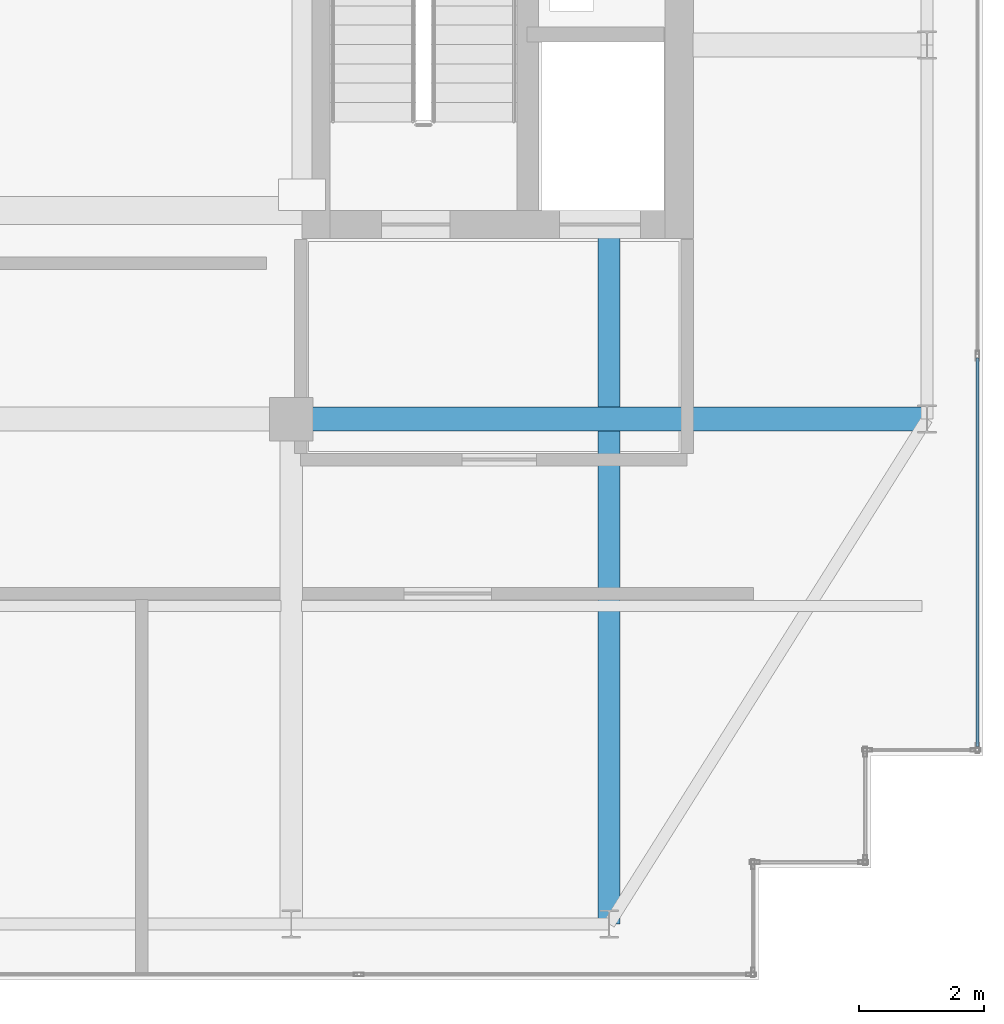
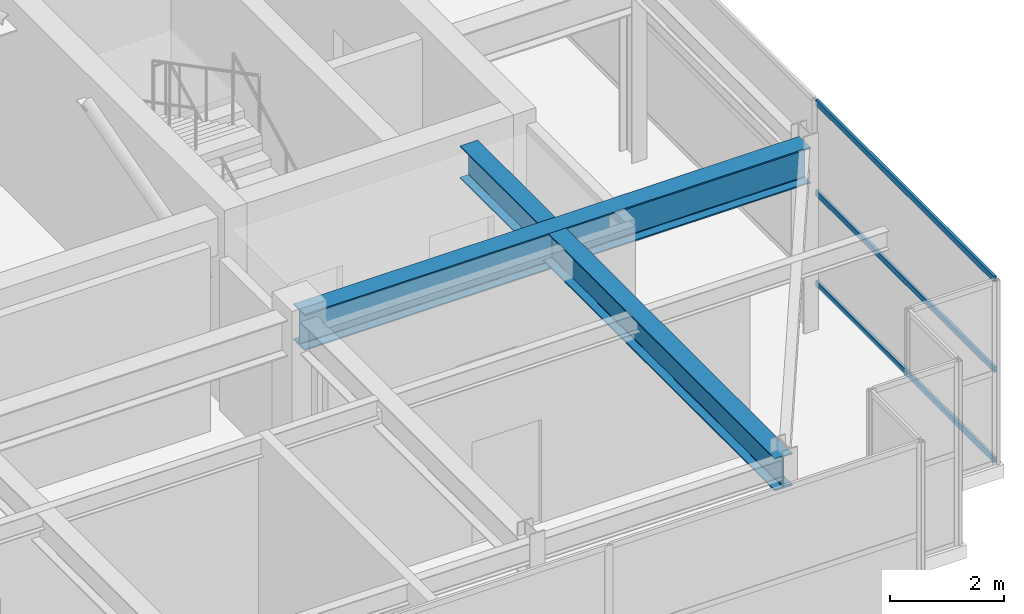
# One storey, part 16 of 32: 3 members, 2 beams, 1 element without a shape of its own.
"""IFC4 building model written with IfcOpenShell, lengths in metres."""

from ifc_helpers import new_model, si_unit, direction, frame, origin, origin_2d, place, context, subcontext, project, spatial, hollow_rectangle, i_section, extrude, source, transform, mapped, material, layer, layer_set, material_profile, profile_set, type_object, element, aggregate, save


model = new_model("IFC4")

# Units and contexts
model_context = context("Model", 3, precision=1e-05, world=origin(), true_north=direction((0.0, 1.0)))
body_context = subcontext(model_context, "Body", "Model", "MODEL_VIEW")
ifc_project = project(units=[si_unit("LENGTHUNIT", "METRE"), si_unit("AREAUNIT", "SQUARE_METRE"), si_unit("VOLUMEUNIT", "CUBIC_METRE"), si_unit("PLANEANGLEUNIT", "RADIAN"), si_unit("MASSUNIT", "GRAM", prefix="KILO")], contexts=[model_context])

# Site, building, storey
site_placement = place(None, origin())
site = spatial("IfcSite", under=ifc_project, at=site_placement, CompositionType="ELEMENT")
building_placement = place(site_placement, origin())
building = spatial("IfcBuilding", under=site, at=building_placement, Name="Khoralis Quay Care Tower", CompositionType="ELEMENT")
storey_placement = place(building_placement, frame((0.0, 0.0, 297.89990234375)))
storey = spatial("IfcBuildingStorey", under=building, at=storey_placement, Name="L78", CompositionType="ELEMENT", Elevation=297.89990234375)

# Beams
ifc_material_1 = material(Name="Steel S355", Category="steel")
ifc_material_profile_1 = material_profile(ifc_material_1, i_section(OverallWidth=0.381103515625, OverallDepth=0.77294921875, WebThickness=0.0166015625, FlangeThickness=0.027587890625, FilletRadius=0.02197265625, at=origin_2d()), Name="Steel S355")
ifc_profile_set_1 = profile_set([ifc_material_profile_1], Name="Steel S355")
beam_type_1 = type_object("IfcBeamType", Name="BM-W760X257", PredefinedType="BEAM", material=ifc_profile_set_1)
shared_shape_1 = source(origin(), body_context, "Body", "SweptSolid", [
    extrude(i_section(OverallWidth=0.381103515625, OverallDepth=0.77294921875, WebThickness=0.0166015625, FlangeThickness=0.027587890625, FilletRadius=0.02197265625, at=origin_2d()), origin(), (0.0, 0.0, 1.0), 10.2001953125),
])
beam_1_placement = place(storey_placement, frame((30.89990234375, 12.0, 3.53369140625), z_axis=(1.0, 0.0, 0.0), x_axis=(0.0, 1.0, 0.0)))
element("IfcBeam", 1, at=beam_1_placement, inside=storey, type_object=beam_type_1, Name="BM-TGXE-L78-120", PredefinedType="BEAM", context=body_context, shape_type="MappedRepresentation", body=[
    mapped(shared_shape_1, transform((0.0, 0.0, 0.0), scale=1.0)),
])
ifc_material_profile_2 = material_profile(ifc_material_1, i_section(OverallWidth=0.35498046875, OverallDepth=0.695068359375, WebThickness=0.015380859375, FlangeThickness=0.02490234375, FilletRadius=0.02001953125, at=origin_2d()), Name="Steel S355")
ifc_profile_set_2 = profile_set([ifc_material_profile_2], Name="Steel S355")
beam_type_2 = type_object("IfcBeamType", Name="BM-W690X217", PredefinedType="BEAM", material=ifc_profile_set_2)
shared_shape_2 = source(origin(), body_context, "Body", "SweptSolid", [
    extrude(i_section(OverallWidth=0.35498046875, OverallDepth=0.695068359375, WebThickness=0.015380859375, FlangeThickness=0.02490234375, FilletRadius=0.02001953125, at=origin_2d()), origin(), (0.0, 0.0, 1.0), 11.002197265625),
])
beam_2_placement = place(storey_placement, frame((36.0, 3.89990234375, 3.572509765625), z_axis=(0.0, 1.0, 0.0), x_axis=(-1.0, 0.0, 0.0)))
element("IfcBeam", 2, at=beam_2_placement, inside=storey, type_object=beam_type_2, Name="BM-TGYS-L78-360", PredefinedType="BEAM", context=body_context, shape_type="MappedRepresentation", body=[
    mapped(shared_shape_2, transform((0.0, 0.0, 0.0), scale=1.0)),
])

# Curtain wall, members
ifc_material_2 = material(Name="Pale anodised aluminium", Category="aluminium")
ifc_layer = layer(ifc_material_2, 0.199951171875)
ifc_layer_set = layer_set([ifc_layer], Name="Pale anodised aluminium")
curtain_wall_type = type_object("IfcCurtainWallType", Name="CW-SYS-LANTERN", PredefinedType="NOTDEFINED", material=ifc_layer_set)
curtain_wall_placement = place(storey_placement, origin())
curtain_wall = element("IfcCurtainWall", 3, at=curtain_wall_placement, inside=storey, type_object=curtain_wall_type, Name="L78 Unitised Curtain Wall CW-LN-L78-06", PredefinedType="NOTDEFINED")
ifc_material_profile_3 = material_profile(ifc_material_2, hollow_rectangle(XDim=0.054931640625, YDim=0.1201171875, WallThickness=0.00390625, at=origin_2d()), Name="Pale anodised aluminium")
ifc_profile_set_3 = profile_set([ifc_material_profile_3], Name="Pale anodised aluminium")
member_type = type_object("IfcMemberType", Name="CW-TRN-120", PredefinedType="USERDEFINED", material=ifc_profile_set_3)
shared_shape_3 = source(origin(), body_context, "Body", "SweptSolid", [
    extrude(hollow_rectangle(XDim=0.054931640625, YDim=0.1201171875, WallThickness=0.00390625, at=origin_2d()), origin(), (0.0, 0.0, 1.0), 6.23388671875),
])
member_1_placement = place(storey_placement, frame((41.909912109375, 6.75, 0.030029296875), z_axis=(0.0, 1.0, 0.0), x_axis=(-1.0, 0.0, 0.0)))
member_1 = element("IfcMember", 4, at=member_1_placement, type_object=member_type, Name="CW5 transom 1.1", ObjectType="TRANSOM", PredefinedType="USERDEFINED", context=body_context, shape_type="MappedRepresentation", body=[
    mapped(shared_shape_3, transform((0.0, 0.0, 0.0), scale=1.0)),
])
member_2_placement = place(storey_placement, frame((41.909912109375, 6.75, 1.960205078125), z_axis=(0.0, 1.0, 0.0), x_axis=(-1.0, 0.0, 0.0)))
member_2 = element("IfcMember", 5, at=member_2_placement, type_object=member_type, Name="CW5 transom 1.2", ObjectType="TRANSOM", PredefinedType="USERDEFINED", context=body_context, shape_type="MappedRepresentation", body=[
    mapped(shared_shape_3, transform((0.0, 0.0, 0.0), scale=1.0)),
])
member_3_placement = place(storey_placement, frame((41.909912109375, 6.75, 3.89013671875), z_axis=(0.0, 1.0, 0.0), x_axis=(-1.0, 0.0, 0.0)))
member_3 = element("IfcMember", 6, at=member_3_placement, type_object=member_type, Name="CW5 transom 1.3", ObjectType="TRANSOM", PredefinedType="USERDEFINED", context=body_context, shape_type="MappedRepresentation", body=[
    mapped(shared_shape_3, transform((0.0, 0.0, 0.0), scale=1.0)),
])
aggregate(curtain_wall, [member_1, member_2, member_3])

save(model, "model.ifc")
